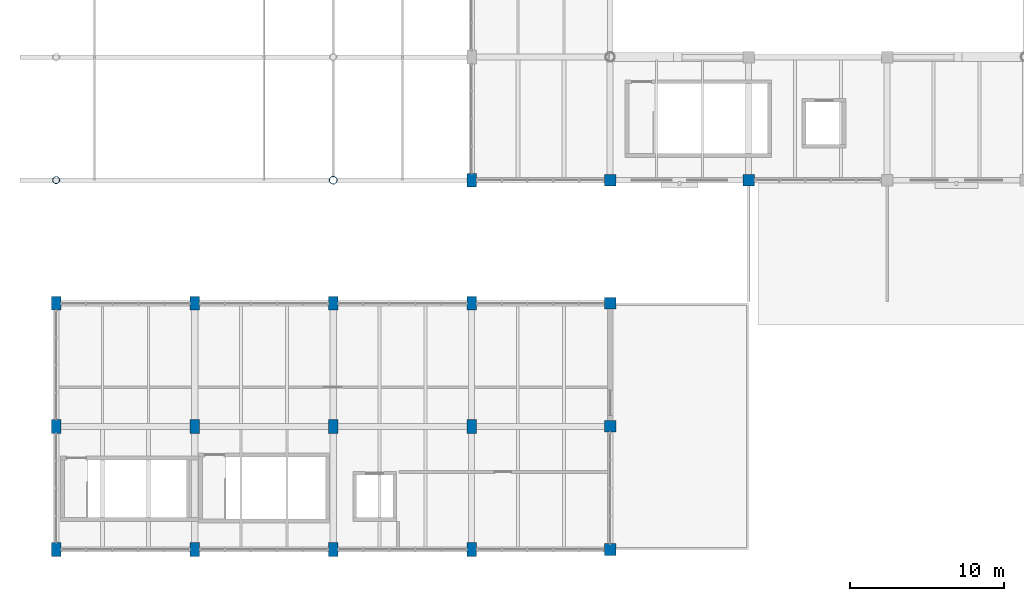
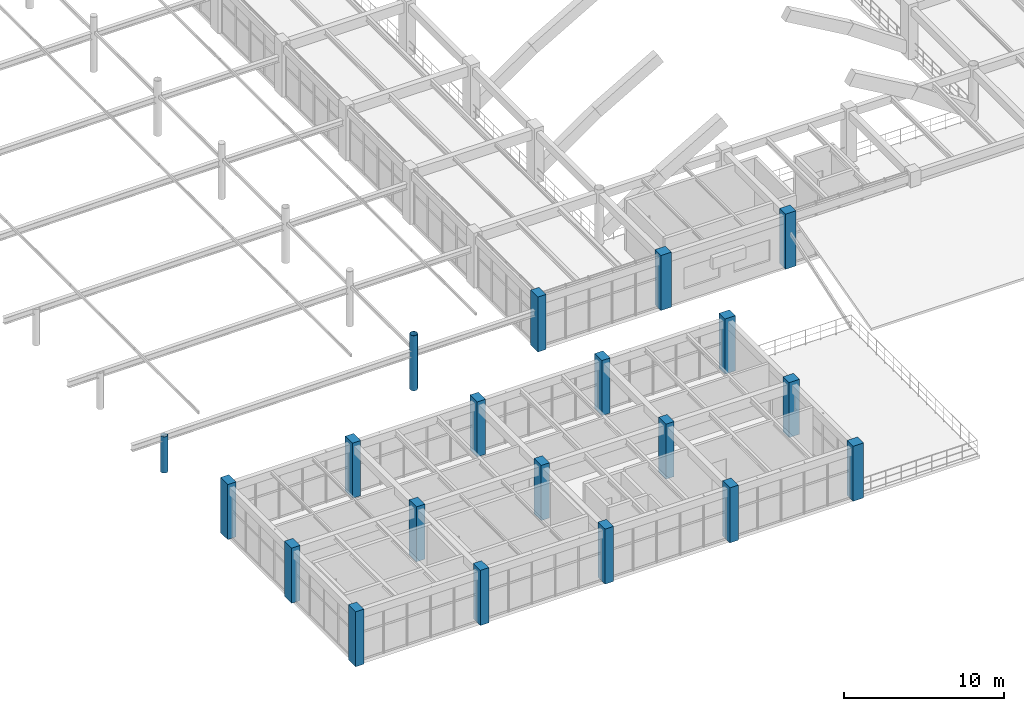
# One storey, part 1 of 148: 20 columns.
"""IFC4 building model written with IfcOpenShell, lengths in metres."""

from ifc_helpers import new_model, si_unit, derived_unit, direction, frame, origin, origin_2d, place, context, subcontext, project, spatial, rectangle, hollow_circle, extrude, material, material_profile, profile_set, type_object, element, save


model = new_model("IFC4")

# Units and contexts
model_context = context("Model", 3, precision=1e-05, world=origin(), true_north=direction((0.0, 1.0)))
body_context = subcontext(model_context, "Body", "Model", "MODEL_VIEW")
ifc_project = project(units=[si_unit("LENGTHUNIT", "METRE"), si_unit("AREAUNIT", "SQUARE_METRE"), si_unit("VOLUMEUNIT", "CUBIC_METRE"), si_unit("PLANEANGLEUNIT", "RADIAN"), si_unit("MASSUNIT", "GRAM", prefix="KILO"), derived_unit("THERMALTRANSMITTANCEUNIT", [(si_unit("MASSUNIT", "GRAM", prefix="KILO"), 1), (si_unit("TIMEUNIT", "SECOND"), -3), (si_unit("THERMODYNAMICTEMPERATUREUNIT", "KELVIN"), -1)])], contexts=[model_context])

# Site, building, storey
site_placement = place(None, origin())
site = spatial("IfcSite", under=ifc_project, at=site_placement, CompositionType="ELEMENT")
building_placement = place(site_placement, origin())
building = spatial("IfcBuilding", under=site, at=building_placement, Name="Zhenchuan Archway Interchange", CompositionType="ELEMENT")
storey_placement = place(building_placement, frame((0.0, 0.0, 10.199951171875)))
storey = spatial("IfcBuildingStorey", under=building, at=storey_placement, Name="L02", CompositionType="ELEMENT", Elevation=10.199951171875)

# Columns
ifc_material_1 = material(Name="Concrete C40", Category="concrete")
ifc_material_profile_1 = material_profile(ifc_material_1, rectangle(XDim=0.60009765625, YDim=0.89990234375, at=origin_2d()), Name="RC 600x900")
ifc_profile_set_1 = profile_set([ifc_material_profile_1], Name="Concrete C40")
column_type_1 = type_object("IfcColumnType", Name="COL_RC_600x900", PredefinedType="COLUMN", material=ifc_profile_set_1)
for number, where, z_axis, x_axis, name in (
    (1, (0.0, 0.0, 0.0), (0.0, 0.0, 1.0), (1.0, 0.0, 0.0), "Column 1/A (L02)"),
    (2, (0.0, 8.0, 0.0), (0.0, 0.0, 1.0), (1.0, 0.0, 0.0), "Column 1/B (L02)"),
    (3, (0.0, 16.0, 0.0), (0.0, 0.0, 1.0), (1.0, 0.0, 0.0), "Column 1/C (L02)"),
    (4, (9.0, 0.0, 0.0), (0.0, 0.0, 1.0), (1.0, 0.0, 0.0), "Column 2/A (L02)"),
    (5, (9.0, 8.0, 0.0), (0.0, 0.0, 1.0), (1.0, 0.0, 0.0), "Column 2/B (L02)"),
    (6, (9.0, 16.0, 0.0), (0.0, 0.0, 1.0), (1.0, 0.0, 0.0), "Column 2/C (L02)"),
    (7, (18.0, 0.0, 0.0), (0.0, 0.0, 1.0), (1.0, 0.0, 0.0), "Column 3/A (L02)"),
    (8, (18.0, 8.0, 0.0), (0.0, 0.0, 1.0), (1.0, 0.0, 0.0), "Column 3/B (L02)"),
    (9, (18.0, 16.0, 0.0), (0.0, 0.0, 1.0), (1.0, 0.0, 0.0), "Column 3/C (L02)"),
    (10, (27.0, 0.0, 0.0), (0.0, 0.0, 1.0), (1.0, 0.0, 0.0), "Column 4/A (L02)"),
    (11, (27.0, 8.0, 0.0), (0.0, 0.0, 1.0), (1.0, 0.0, 0.0), "Column 4/B (L02)"),
    (12, (27.0, 16.0, 0.0), (0.0, 0.0, 1.0), (1.0, 0.0, 0.0), "Column 4/C (L02)"),
    (13, (27.0, 24.0, 0.0), (0.0, 0.0, 1.0), (1.0, 0.0, 0.0), "Column 4/D (L02)"),
):
    element("IfcColumn", number, at=place(storey_placement, frame(where, z_axis=z_axis, x_axis=x_axis)), inside=storey, type_object=column_type_1, Name=name, PredefinedType="COLUMN", context=body_context, shape_type="SweptSolid", body=[
        extrude(rectangle(XDim=0.60009765625, YDim=0.89990234375, at=origin_2d()), origin(), (0.0, 0.0, 1.0), 4.199951171875),
    ])
ifc_material_profile_2 = material_profile(ifc_material_1, rectangle(XDim=0.75, YDim=0.75, at=origin_2d()), Name="RC 750x750")
ifc_profile_set_2 = profile_set([ifc_material_profile_2], Name="Concrete C40")
column_type_2 = type_object("IfcColumnType", Name="COL_RC_750", PredefinedType="COLUMN", material=ifc_profile_set_2)
for number, where, z_axis, x_axis, name in (
    (14, (36.0, 0.0, 0.0), (0.0, 0.0, 1.0), (1.0, 0.0, 0.0), "Column 5/A (L02)"),
    (15, (36.0, 8.0, 0.0), (0.0, 0.0, 1.0), (1.0, 0.0, 0.0), "Column 5/B (L02)"),
    (16, (36.0, 16.0, 0.0), (0.0, 0.0, 1.0), (1.0, 0.0, 0.0), "Column 5/C (L02)"),
    (17, (36.0, 24.0, 0.0), (0.0, 0.0, 1.0), (1.0, 0.0, 0.0), "Column 5/D (L02)"),
    (18, (45.0, 24.0, 0.0), (0.0, 0.0, 1.0), (1.0, 0.0, 0.0), "Column 6/D (L02)"),
):
    element("IfcColumn", number, at=place(storey_placement, frame(where, z_axis=z_axis, x_axis=x_axis)), inside=storey, type_object=column_type_2, Name=name, PredefinedType="COLUMN", context=body_context, shape_type="SweptSolid", body=[
        extrude(rectangle(XDim=0.75, YDim=0.75, at=origin_2d()), origin(), (0.0, 0.0, 1.0), 4.199951171875),
    ])
ifc_material_2 = material(Name="Steel Q390", Category="steel")
ifc_material_profile_3 = material_profile(ifc_material_2, hollow_circle(Radius=0.228515625, WallThickness=0.01611328125, at=origin_2d()), Name="CHS 457x16")
ifc_profile_set_3 = profile_set([ifc_material_profile_3], Name="Steel Q390")
column_type_3 = type_object("IfcColumnType", Name="COL_STL_CHS457", PredefinedType="COLUMN", material=ifc_profile_set_3)
column_1_placement = place(storey_placement, frame((0.0, 24.0, 0.0), z_axis=(0.0, 0.0, 1.0), x_axis=(1.0, 0.0, 0.0)))
element("IfcColumn", 19, at=column_1_placement, inside=storey, type_object=column_type_3, Name="Column 1/D (L02)", PredefinedType="COLUMN", context=body_context, shape_type="SweptSolid", body=[
    extrude(hollow_circle(Radius=0.228515625, WallThickness=0.01611328125, at=origin_2d()), origin(), (0.0, 0.0, 1.0), 2.77001953125),
])
ifc_material_profile_4 = material_profile(ifc_material_2, hollow_circle(Radius=0.25390625, WallThickness=0.01611328125, at=origin_2d()), Name="CHS 508x16")
ifc_profile_set_4 = profile_set([ifc_material_profile_4], Name="Steel Q390")
column_type_4 = type_object("IfcColumnType", Name="COL_STL_CHS508", PredefinedType="COLUMN", material=ifc_profile_set_4)
column_2_placement = place(storey_placement, frame((18.0, 24.0, 0.0), z_axis=(0.0, 0.0, 1.0), x_axis=(1.0, 0.0, 0.0)))
element("IfcColumn", 20, at=column_2_placement, inside=storey, type_object=column_type_4, Name="Column 3/D (L02)", PredefinedType="COLUMN", context=body_context, shape_type="SweptSolid", body=[
    extrude(hollow_circle(Radius=0.25390625, WallThickness=0.01611328125, at=origin_2d()), origin(), (0.0, 0.0, 1.0), 4.199951171875),
])

save(model, "model.ifc")
